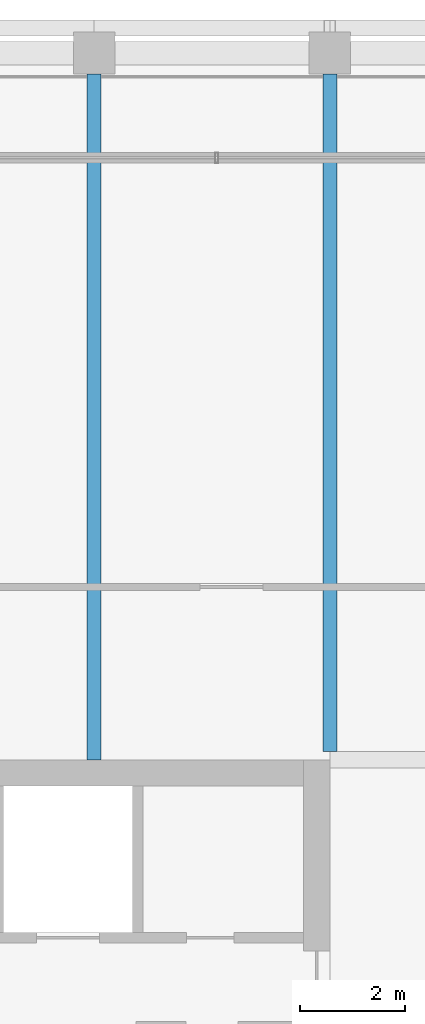
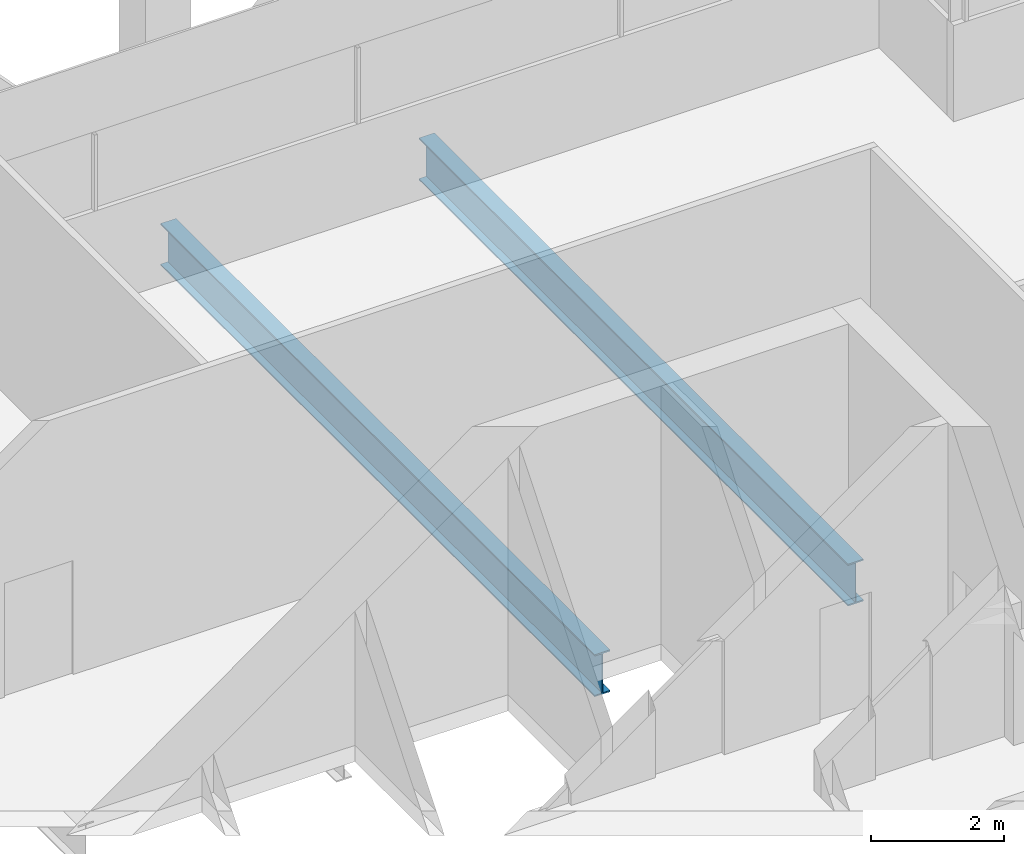
# One storey, part 13 of 21: 2 beams.
"""IFC4 building model written with IfcOpenShell, lengths in metres."""

from ifc_helpers import new_model, si_unit, direction, frame, origin, origin_2d, place, context, subcontext, project, spatial, i_section, extrude, material, material_profile, profile_set, type_object, element, save


model = new_model("IFC4")

# Units and contexts
model_context = context("Model", 3, precision=1e-05, world=origin(), true_north=direction((0.0, 1.0)))
body_context = subcontext(model_context, "Body", "Model", "MODEL_VIEW")
ifc_project = project(units=[si_unit("LENGTHUNIT", "METRE"), si_unit("AREAUNIT", "SQUARE_METRE"), si_unit("VOLUMEUNIT", "CUBIC_METRE"), si_unit("PLANEANGLEUNIT", "RADIAN"), si_unit("MASSUNIT", "GRAM", prefix="KILO")], contexts=[model_context])

# Site, building, storey
site_placement = place(None, origin())
site = spatial("IfcSite", under=ifc_project, at=site_placement, CompositionType="ELEMENT")
building_placement = place(site_placement, origin())
building = spatial("IfcBuilding", under=site, at=building_placement, Name="Altepetl Exchange Towers", CompositionType="ELEMENT")
storey_placement = place(building_placement, frame((0.0, 0.0, 246.0)))
storey = spatial("IfcBuildingStorey", under=building, at=storey_placement, Name="L63 Refuge", CompositionType="ELEMENT", Elevation=246.0)

# Beams
ifc_material = material(Name="Steel S355", Category="steel")
ifc_material_profile = material_profile(ifc_material, i_section(OverallWidth=0.26806640625, OverallDepth=0.77392578125, WebThickness=0.015380859375, FlangeThickness=0.025390625, at=origin_2d()), Name="W30X132")
ifc_profile_set = profile_set([ifc_material_profile], Name="Steel S355")
beam_type = type_object("IfcBeamType", Name="Floor beam W30X132", PredefinedType="BEAM", material=ifc_profile_set)
beam_1_placement = place(storey_placement, frame((54.0, 58.5, -0.5869140625), z_axis=(0.0, 1.0, 0.0), x_axis=(-1.0, 0.0, 0.0)))
element("IfcBeam", 1, at=beam_1_placement, inside=storey, type_object=beam_type, Name="bm:A:L63:002", PredefinedType="BEAM", context=body_context, shape_type="SweptSolid", body=[
    extrude(i_section(OverallWidth=0.26806640625, OverallDepth=0.77392578125, WebThickness=0.015380859375, FlangeThickness=0.025390625, at=origin_2d()), origin(), (0.0, 0.0, 1.0), 13.10009765625),
])
beam_2_placement = place(storey_placement, frame((58.5, 58.654052734375, -0.5869140625), z_axis=(0.0, 1.0, 0.0), x_axis=(-1.0, 0.0, 0.0)))
element("IfcBeam", 2, at=beam_2_placement, inside=storey, type_object=beam_type, Name="bm:A:L63:003", PredefinedType="BEAM", context=body_context, shape_type="SweptSolid", body=[
    extrude(i_section(OverallWidth=0.26806640625, OverallDepth=0.77392578125, WebThickness=0.015380859375, FlangeThickness=0.025390625, at=origin_2d()), origin(), (0.0, 0.0, 1.0), 12.946044921875),
])

save(model, "model.ifc")
